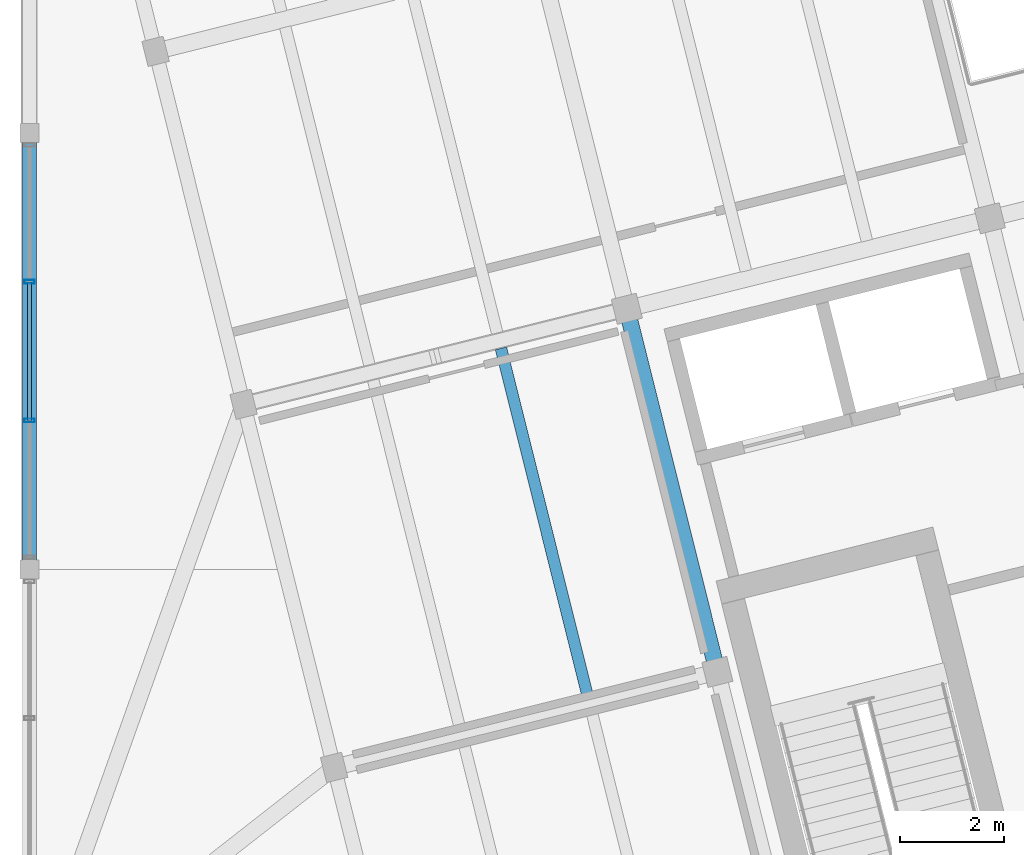
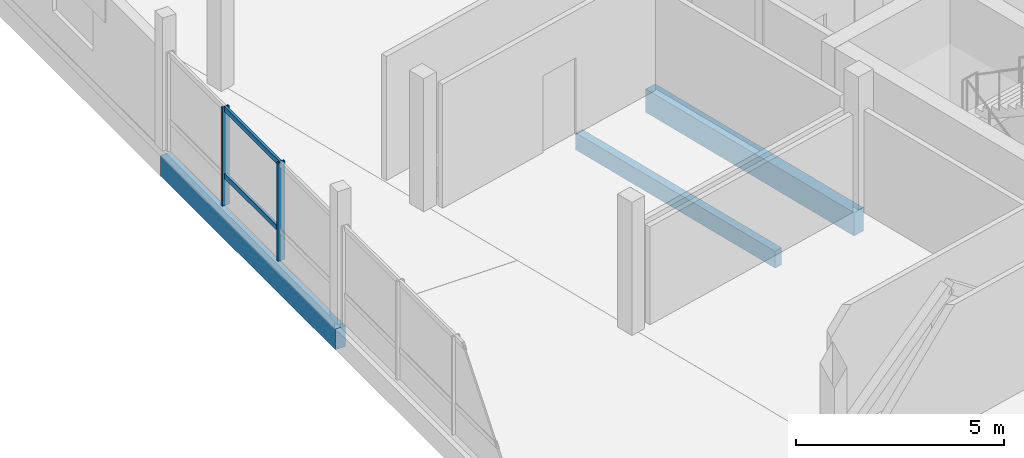
# One storey, part 14 of 39: 4 members, 3 beams, 1 element without a shape of its own.
"""IFC4 building model written with IfcOpenShell, lengths in metres."""

from ifc_helpers import new_model, si_unit, direction, frame, origin, origin_2d, place, context, subcontext, project, spatial, rectangle, hollow_rectangle, extrude, material, layer, layer_set, material_profile, profile_set, type_object, element, aggregate, save


model = new_model("IFC4")

# Units and contexts
model_context = context("Model", 3, precision=1e-05, world=origin(), true_north=direction((0.0, 1.0)))
body_context = subcontext(model_context, "Body", "Model", "MODEL_VIEW")
ifc_project = project(units=[si_unit("LENGTHUNIT", "METRE"), si_unit("AREAUNIT", "SQUARE_METRE"), si_unit("VOLUMEUNIT", "CUBIC_METRE"), si_unit("PLANEANGLEUNIT", "RADIAN"), si_unit("MASSUNIT", "GRAM", prefix="KILO")], contexts=[model_context])

# Site, building, storey
site_placement = place(None, origin())
site = spatial("IfcSite", under=ifc_project, at=site_placement, CompositionType="ELEMENT")
building_placement = place(site_placement, origin())
building = spatial("IfcBuilding", under=site, at=building_placement, Name="Meriwether Solvik Hall", CompositionType="ELEMENT")
storey_placement = place(building_placement, frame((0.0, 0.0, 22.199951171875)))
storey = spatial("IfcBuildingStorey", under=building, at=storey_placement, Name="L05", CompositionType="ELEMENT", Elevation=22.199951171875)

# Beams
ifc_material_1 = material(Name="Glulam Douglas-Fir 24F-V8 GL28h", Category="wood")
ifc_material_profile_1 = material_profile(ifc_material_1, rectangle(XDim=0.27294921875, YDim=0.610107421875, at=origin_2d()), Name="GLB-273X610")
ifc_profile_set_1 = profile_set([ifc_material_profile_1], Name="Glulam Douglas-Fir 24F-V8 GL28h")
beam_type_1 = type_object("IfcBeamType", Name="BM-GL-273X610", PredefinedType="SPANDREL", material=ifc_profile_set_1)
beam_1_placement = place(storey_placement, frame((59.39990234375, 58.39990234375, -0.550048828125), z_axis=(0.0, 1.0, 0.0), x_axis=(-1.0, 0.0, 0.0)))
element("IfcBeam", 1, at=beam_1_placement, inside=storey, type_object=beam_type_1, Name="Podium Girder 7:G-H (L05)", PredefinedType="SPANDREL", context=body_context, shape_type="SweptSolid", body=[
    extrude(rectangle(XDim=0.27294921875, YDim=0.610107421875, at=origin_2d()), origin(), (0.0, 0.0, 1.0), 8.400146484375),
])
ifc_material_2 = material(Name="Glulam Douglas-Fir 24F-V8 GL28h", Category="wood")
ifc_material_profile_2 = material_profile(ifc_material_2, rectangle(XDim=0.31494140625, YDim=0.68505859375, at=origin_2d()), Name="GLB-315X685")
ifc_profile_set_2 = profile_set([ifc_material_profile_2], Name="Glulam Douglas-Fir 24F-V8 GL28h")
beam_type_2 = type_object("IfcBeamType", Name="BM-GL-315X685", PredefinedType="BEAM", material=ifc_profile_set_2)
beam_2_placement = place(storey_placement, frame((72.6357421875, 56.4287109375, -0.58740234375), z_axis=(-0.241937193493, 0.970291911955, 0.0), x_axis=(-0.970291911955, -0.241937193493, 0.0)))
element("IfcBeam", 2, at=beam_2_placement, inside=storey, type_object=beam_type_2, Name="Tower Girder T2:TC-TD (L05)", PredefinedType="BEAM", context=body_context, shape_type="SweptSolid", body=[
    extrude(rectangle(XDim=0.31494140625, YDim=0.68505859375, at=origin_2d()), origin(), (0.0, 0.0, 1.0), 7.199951171875),
])

# Curtain wall, members
ifc_material_3 = material(Name="Thermally Broken Anodised Aluminium 6063-T6 and Low-E Glass", Category="aluminium")
ifc_layer = layer(ifc_material_3, 0.179931640625)
ifc_layer_set = layer_set([ifc_layer], Name="Thermally Broken Anodised Aluminium 6063-T6 and Low-E Glass")
curtain_wall_type = type_object("IfcCurtainWallType", Name="CW-UNIT-E", PredefinedType="USERDEFINED", material=ifc_layer_set)
curtain_wall_placement = place(storey_placement, origin())
curtain_wall = element("IfcCurtainWall", 3, at=curtain_wall_placement, inside=storey, type_object=curtain_wall_type, Name="Curtain Wall wing_Y7_7_14 (L05)", ObjectType="UNITISED CURTAIN WALL", PredefinedType="USERDEFINED")
ifc_material_4 = material(Name="Anodised Aluminium 6063-T6", Category="aluminium")
ifc_material_profile_3 = material_profile(ifc_material_4, hollow_rectangle(XDim=0.070068359375, YDim=0.199951171875, WallThickness=0.0048828125, at=origin_2d()), Name="CWM-70X200")
ifc_profile_set_3 = profile_set([ifc_material_profile_3], Name="Anodised Aluminium 6063-T6")
member_type_1 = type_object("IfcMemberType", Name="CW-MUL-70X200", PredefinedType="MULLION", material=ifc_profile_set_3)
member_1_placement = place(storey_placement, frame((59.39990234375, 61.264892578125, 0.0), z_axis=(0.0, 0.0, 1.0), x_axis=(0.0, 1.0, 0.0)))
member_1 = element("IfcMember", 4, at=member_1_placement, type_object=member_type_1, Name="Curtain Wall Mullion 2", PredefinedType="MULLION", context=body_context, shape_type="SweptSolid", body=[
    extrude(hollow_rectangle(XDim=0.070068359375, YDim=0.199951171875, WallThickness=0.0048828125, at=origin_2d()), origin(), (0.0, 0.0, 1.0), 2.880126953125),
])
member_2_placement = place(storey_placement, frame((59.39990234375, 63.93505859375, 0.0), z_axis=(0.0, 0.0, 1.0), x_axis=(0.0, 1.0, 0.0)))
member_2 = element("IfcMember", 5, at=member_2_placement, type_object=member_type_1, Name="Curtain Wall Mullion 3", PredefinedType="MULLION", context=body_context, shape_type="SweptSolid", body=[
    extrude(hollow_rectangle(XDim=0.070068359375, YDim=0.199951171875, WallThickness=0.0048828125, at=origin_2d()), origin(), (0.0, 0.0, 1.0), 2.880126953125),
])
ifc_material_5 = material(Name="Anodised Aluminium 6063-T6", Category="aluminium")
ifc_material_profile_4 = material_profile(ifc_material_5, hollow_rectangle(XDim=0.070068359375, YDim=0.14990234375, WallThickness=0.0048828125, at=origin_2d()), Name="CWT-70X150")
ifc_profile_set_4 = profile_set([ifc_material_profile_4], Name="Anodised Aluminium 6063-T6")
member_type_2 = type_object("IfcMemberType", Name="CW-TRN-70X150", PredefinedType="USERDEFINED", material=ifc_profile_set_4)
member_3_placement = place(storey_placement, frame((59.39990234375, 61.264892578125, 0.864013671875), z_axis=(0.0, 1.0, 0.0), x_axis=(-1.0, 0.0, 0.0)))
member_3 = element("IfcMember", 6, at=member_3_placement, type_object=member_type_2, Name="Curtain Wall Transom 2-sill", ObjectType="TRANSOM", PredefinedType="USERDEFINED", context=body_context, shape_type="SweptSolid", body=[
    extrude(hollow_rectangle(XDim=0.070068359375, YDim=0.14990234375, WallThickness=0.0048828125, at=origin_2d()), origin(), (0.0, 0.0, 1.0), 2.670166015625),
])
member_4_placement = place(storey_placement, frame((59.39990234375, 61.264892578125, 2.820068359375), z_axis=(0.0, 1.0, 0.0), x_axis=(-1.0, 0.0, 0.0)))
member_4 = element("IfcMember", 7, at=member_4_placement, type_object=member_type_2, Name="Curtain Wall Transom 2-head", ObjectType="TRANSOM", PredefinedType="USERDEFINED", context=body_context, shape_type="SweptSolid", body=[
    extrude(hollow_rectangle(XDim=0.070068359375, YDim=0.14990234375, WallThickness=0.0048828125, at=origin_2d()), origin(), (0.0, 0.0, 1.0), 2.670166015625),
])
aggregate(curtain_wall, [member_1, member_2, member_3, member_4])

# Beam
ifc_material_6 = material(Name="Glulam Douglas-Fir 24F-V8 GL28h", Category="wood")
ifc_material_profile_5 = material_profile(ifc_material_6, rectangle(XDim=0.221923828125, YDim=0.4951171875, at=origin_2d()), Name="GLJ-222X495")
ifc_profile_set_5 = profile_set([ifc_material_profile_5], Name="Glulam Douglas-Fir 24F-V8 GL28h")
beam_type_3 = type_object("IfcBeamType", Name="JST-GL-222X495", PredefinedType="JOIST", material=ifc_profile_set_5)
beam_3_placement = place(storey_placement, frame((70.140869140625, 55.9638671875, -0.492431640625), z_axis=(-0.241944055158, 0.970290201009, 0.0), x_axis=(-0.970290201009, -0.241944055158, 0.0)))
element("IfcBeam", 8, at=beam_3_placement, inside=storey, type_object=beam_type_3, Name="Glulam Floor Joist T1/TC-J2 (L05)", PredefinedType="JOIST", context=body_context, shape_type="SweptSolid", body=[
    extrude(rectangle(XDim=0.221923828125, YDim=0.4951171875, at=origin_2d()), origin(), (0.0, 0.0, 1.0), 6.89501953125),
])

save(model, "model.ifc")
